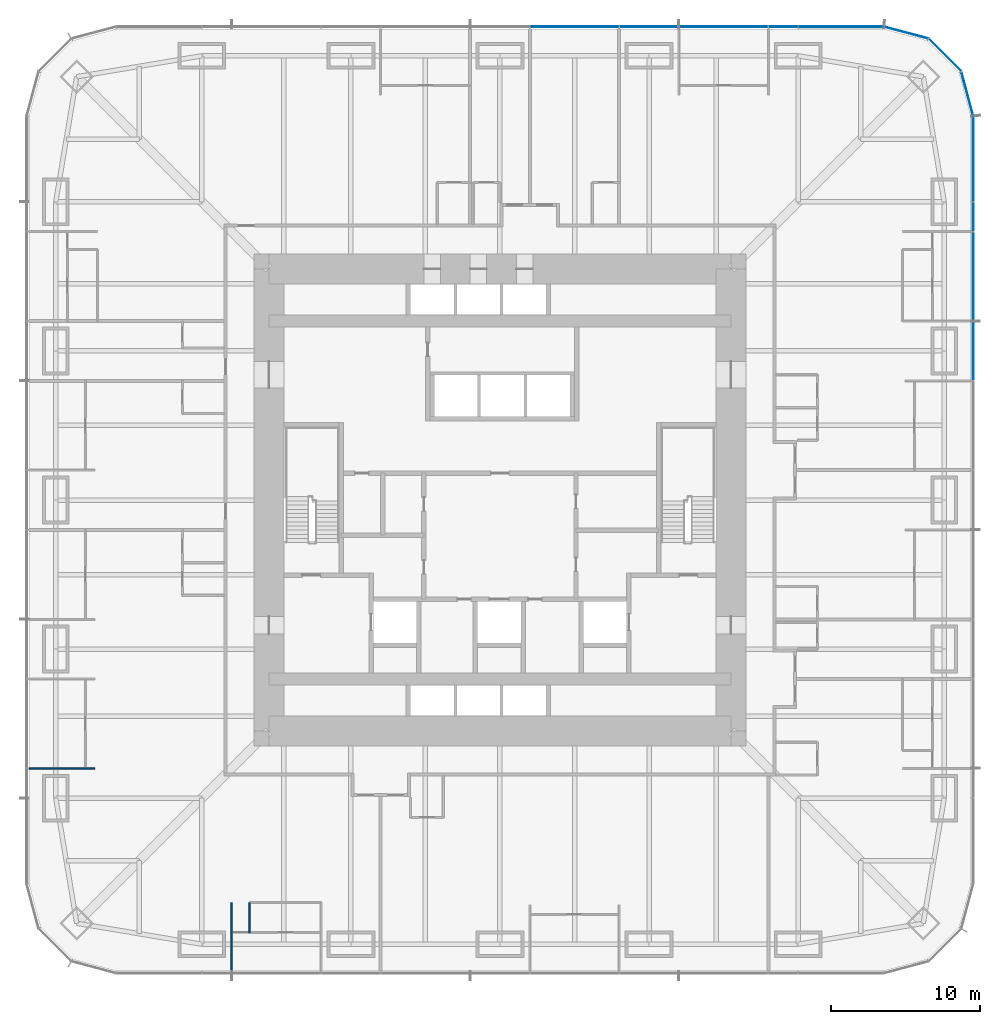
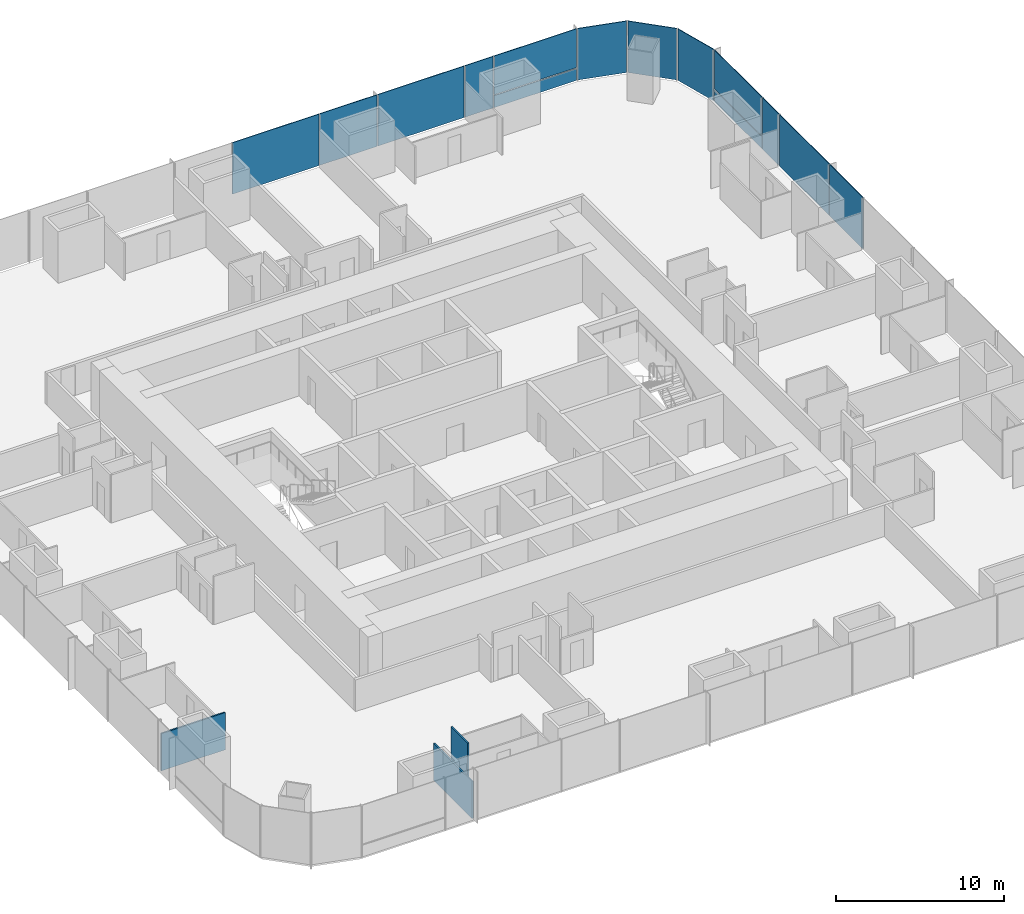
# One storey, part 11 of 17: 14 plates, 3 walls, 3 elements without a shape of their own.
"""IFC4 building model written with IfcOpenShell, lengths in metres."""

from ifc_helpers import new_model, si_unit, direction, frame, frame_2d, origin, origin_2d, place, context, subcontext, project, spatial, rectangle, extrude, material, layer, layer_set, type_object, element, aggregate, save


model = new_model("IFC4")

# Units and contexts
model_context = context("Model", 3, precision=1e-05, world=origin(), true_north=direction((0.0, 1.0)))
body_context = subcontext(model_context, "Body", "Model", "MODEL_VIEW")
ifc_project = project(units=[si_unit("LENGTHUNIT", "METRE"), si_unit("AREAUNIT", "SQUARE_METRE"), si_unit("VOLUMEUNIT", "CUBIC_METRE"), si_unit("PLANEANGLEUNIT", "RADIAN"), si_unit("MASSUNIT", "GRAM", prefix="KILO")], contexts=[model_context])

# Site, building, storey
site_placement = place(None, origin())
site = spatial("IfcSite", under=ifc_project, at=site_placement, CompositionType="ELEMENT")
building_placement = place(site_placement, origin())
building = spatial("IfcBuilding", under=site, at=building_placement, Name="Khuree Lantern Residences", CompositionType="ELEMENT")
storey_placement = place(building_placement, frame((0.0, 0.0, 43.5)))
storey = spatial("IfcBuildingStorey", under=building, at=storey_placement, Name="L10", CompositionType="ELEMENT", Elevation=43.5)

# Curtain wall, plates
ifc_material_1 = material(Name="Bronze anodised aluminium", Category="aluminium")
curtain_wall_type_1 = type_object("IfcCurtainWallType", Name="CW-T2 TOWER CORNER CURTAIN WALL", PredefinedType="USERDEFINED", material=ifc_material_1)
curtain_wall_1_placement = place(storey_placement, origin())
curtain_wall_1 = element("IfcCurtainWall", 1, at=curtain_wall_1_placement, inside=storey, type_object=curtain_wall_type_1, Name="L10 NORTH-EAST CORNER CURTAIN WALL", ObjectType="Faceted corner curtain wall", PredefinedType="USERDEFINED")
ifc_material_2 = material(Name="Bronze tinted triple glazing", Category="glass")
ifc_layer_1 = layer(ifc_material_2, 0.048095703125)
ifc_layer_set_1 = layer_set([ifc_layer_1], Name="FACET PANEL P4")
plate_type_1 = type_object("IfcPlateType", Name="FACET PANEL P4", PredefinedType="CURTAIN_PANEL", material=ifc_layer_set_1)
plate_1_placement = place(storey_placement, frame((31.3486328125, 27.248046875, 0.0), z_axis=(0.0, 0.0, 1.0), x_axis=(-0.258819172081, 0.965925792265, 0.0)))
plate_1 = element("IfcPlate", 2, at=plate_1_placement, type_object=plate_type_1, Name="L10 NORTH-EAST CORNER PANEL 15.1", PredefinedType="CURTAIN_PANEL", context=body_context, shape_type="SweptSolid", body=[
    extrude(rectangle(XDim=3.02978515625, YDim=0.048095703125, at=origin_2d()), origin(), (0.0, 0.0, 1.0), 3.75),
])
plate_2_placement = place(storey_placement, frame((29.84814453125, 29.84814453125, 0.0), z_axis=(0.0, 0.0, 1.0), x_axis=(-0.707106781187, 0.707106781187, 0.0)))
plate_2 = element("IfcPlate", 3, at=plate_2_placement, type_object=plate_type_1, Name="L10 NORTH-EAST CORNER PANEL 16.1", PredefinedType="CURTAIN_PANEL", context=body_context, shape_type="SweptSolid", body=[
    extrude(rectangle(XDim=3.025634765625, YDim=0.048095703125, at=origin_2d()), origin(), (0.0, 0.0, 1.0), 3.75),
])
plate_3_placement = place(storey_placement, frame((27.248046875, 31.3486328125, 0.0), z_axis=(0.0, 0.0, 1.0), x_axis=(-0.965925792265, 0.258819172081, 0.0)))
plate_3 = element("IfcPlate", 4, at=plate_3_placement, type_object=plate_type_1, Name="L10 NORTH-EAST CORNER PANEL 17.1", PredefinedType="CURTAIN_PANEL", context=body_context, shape_type="SweptSolid", body=[
    extrude(rectangle(XDim=3.02978515625, YDim=0.048095703125, at=origin_2d()), origin(), (0.0, 0.0, 1.0), 3.75),
])
aggregate(curtain_wall_1, [plate_1, plate_2, plate_3])

# Curtain wall, plate
curtain_wall_type_2 = type_object("IfcCurtainWallType", Name="CW-T1 TOWER FACE CURTAIN WALL", PredefinedType="USERDEFINED", material=ifc_material_1)
curtain_wall_2_placement = place(storey_placement, origin())
curtain_wall_2 = element("IfcCurtainWall", 5, at=curtain_wall_2_placement, inside=storey, type_object=curtain_wall_type_2, Name="L10 EAST FACE CURTAIN WALL", ObjectType="Stick-built curtain wall", PredefinedType="USERDEFINED")
ifc_material_3 = material(Name="Bronze tinted triple glazing with a ceramic-fritted spandrel band", Category="glass")
ifc_layer_2 = layer(ifc_material_3, 0.048095703125)
ifc_layer_set_2 = layer_set([ifc_layer_2], Name="FIXED LIGHT PANEL P11")
plate_type_2 = type_object("IfcPlateType", Name="FIXED LIGHT PANEL P11", PredefinedType="CURTAIN_PANEL", material=ifc_layer_set_2)
plate_4_placement = place(storey_placement, frame((31.75, 15.0, 0.0), z_axis=(0.0, 0.0, 1.0), x_axis=(0.0, 1.0, 0.0)))
plate_4 = element("IfcPlate", 6, at=plate_4_placement, type_object=plate_type_2, Name="L10 EAST FACE PANEL 12.1", PredefinedType="CURTAIN_PANEL", context=body_context, shape_type="SweptSolid", body=[
    extrude(rectangle(XDim=5.93505859375, YDim=0.048095703125, at=origin_2d()), origin(), (0.0, 0.0, 1.0), 3.75),
])

# Curtain wall, plates
curtain_wall_3_placement = place(storey_placement, origin())
curtain_wall_3 = element("IfcCurtainWall", 7, at=curtain_wall_3_placement, inside=storey, type_object=curtain_wall_type_2, Name="L10 NORTH FACE CURTAIN WALL", ObjectType="Stick-built curtain wall", PredefinedType="USERDEFINED")
plate_5_placement = place(storey_placement, frame((15.0, 31.75, 0.0), z_axis=(0.0, 0.0, 1.0), x_axis=(-1.0, 0.0, 0.0)))
plate_5 = element("IfcPlate", 8, at=plate_5_placement, type_object=plate_type_2, Name="L10 NORTH FACE PANEL 20.1", PredefinedType="CURTAIN_PANEL", context=body_context, shape_type="SweptSolid", body=[
    extrude(rectangle(XDim=5.93505859375, YDim=0.048095703125, at=origin_2d()), origin(), (0.0, 0.0, 1.0), 3.75),
])
plate_6_placement = place(storey_placement, frame((5.0, 31.75, 0.0), z_axis=(0.0, 0.0, 1.0), x_axis=(-1.0, 0.0, 0.0)))
plate_6 = element("IfcPlate", 9, at=plate_6_placement, type_object=plate_type_2, Name="L10 NORTH FACE PANEL 22.1", PredefinedType="CURTAIN_PANEL", context=body_context, shape_type="SweptSolid", body=[
    extrude(rectangle(XDim=5.93505859375, YDim=0.048095703125, at=origin_2d()), origin(), (0.0, 0.0, 1.0), 3.75),
])

# Plate
ifc_material_4 = material(Name="Bronze tinted triple glazing, two aluminium-framed sashes in one frame", Category="aluminium")
ifc_layer_3 = layer(ifc_material_4, 0.048095703125)
ifc_layer_set_3 = layer_set([ifc_layer_3], Name="SASH PAIR PANEL P12")
plate_type_3 = type_object("IfcPlateType", Name="SASH PAIR PANEL P12", PredefinedType="CURTAIN_PANEL", material=ifc_layer_set_3)
plate_7_placement = place(storey_placement, frame((31.75, 10.0, 0.0), z_axis=(0.0, 0.0, 1.0), x_axis=(0.0, 1.0, 0.0)))
plate_7 = element("IfcPlate", 10, at=plate_7_placement, type_object=plate_type_3, Name="L10 EAST FACE PANEL 11.1", PredefinedType="CURTAIN_PANEL", context=body_context, shape_type="SweptSolid", body=[
    extrude(rectangle(XDim=3.93505859375, YDim=0.048095703125, at=origin_2d()), origin(), (0.0, 0.0, 1.0), 3.75),
])

plate_8_placement = place(storey_placement, frame((10.0, 31.75, 0.0), z_axis=(0.0, 0.0, 1.0), x_axis=(-1.0, 0.0, 0.0)))
plate_8 = element("IfcPlate", 11, at=plate_8_placement, type_object=plate_type_3, Name="L10 NORTH FACE PANEL 21.1", PredefinedType="CURTAIN_PANEL", context=body_context, shape_type="SweptSolid", body=[
    extrude(rectangle(XDim=3.93505859375, YDim=0.048095703125, at=origin_2d()), origin(), (0.0, 0.0, 1.0), 3.75),
])

ifc_material_5 = material(Name="Bronze tinted triple glazing, aluminium-framed sash", Category="aluminium")
ifc_layer_4 = layer(ifc_material_5, 0.048095703125)
ifc_layer_set_4 = layer_set([ifc_layer_4], Name="SASH PANEL P3")
plate_type_4 = type_object("IfcPlateType", Name="SASH PANEL P3", PredefinedType="CURTAIN_PANEL", material=ifc_layer_set_4)
plate_9_placement = place(storey_placement, frame((31.75, 19.0, 0.0), z_axis=(0.0, 0.0, 1.0), x_axis=(0.0, 1.0, 0.0)))
plate_9 = element("IfcPlate", 12, at=plate_9_placement, type_object=plate_type_4, Name="L10 EAST FACE PANEL 13.1", PredefinedType="CURTAIN_PANEL", context=body_context, shape_type="SweptSolid", body=[
    extrude(rectangle(XDim=1.93505859375, YDim=0.048095703125, at=origin_2d()), origin(), (0.0, 0.0, 1.0), 3.75),
])

plate_10_placement = place(storey_placement, frame((19.0, 31.75, 0.0), z_axis=(0.0, 0.0, 1.0), x_axis=(-1.0, 0.0, 0.0)))
plate_10 = element("IfcPlate", 13, at=plate_10_placement, type_object=plate_type_4, Name="L10 NORTH FACE PANEL 19.1", PredefinedType="CURTAIN_PANEL", context=body_context, shape_type="SweptSolid", body=[
    extrude(rectangle(XDim=1.93505859375, YDim=0.048095703125, at=origin_2d()), origin(), (0.0, 0.0, 1.0), 3.75),
])

ifc_material_6 = material(Name="Bronze anodised aluminium insulated spandrel", Category="aluminium")
ifc_layer_5 = layer(ifc_material_6, 0.06005859375)
ifc_layer_set_5 = layer_set([ifc_layer_5], Name="SPANDREL PANEL P2")
plate_type_5 = type_object("IfcPlateType", Name="SPANDREL PANEL P2", PredefinedType="CURTAIN_PANEL", material=ifc_layer_set_5)
plate_11_placement = place(storey_placement, frame((31.75, 22.872802734375, 0.0), z_axis=(0.0, 0.0, 1.0), x_axis=(0.0, 1.0, 0.0)))
plate_11 = element("IfcPlate", 14, at=plate_11_placement, type_object=plate_type_5, Name="L10 EAST FACE PANEL 14.1", PredefinedType="CURTAIN_PANEL", context=body_context, shape_type="SweptSolid", body=[
    extrude(rectangle(XDim=5.6806640625, YDim=0.06005859375, at=origin_2d()), origin(), (0.0, 0.0, 1.0), 0.867431640625),
])

plate_12_placement = place(storey_placement, frame((22.872802734375, 31.75, 0.0), z_axis=(0.0, 0.0, 1.0), x_axis=(-1.0, 0.0, 0.0)))
plate_12 = element("IfcPlate", 15, at=plate_12_placement, type_object=plate_type_5, Name="L10 NORTH FACE PANEL 18.1", PredefinedType="CURTAIN_PANEL", context=body_context, shape_type="SweptSolid", body=[
    extrude(rectangle(XDim=5.6806640625, YDim=0.06005859375, at=origin_2d()), origin(), (0.0, 0.0, 1.0), 0.867431640625),
])

ifc_layer_6 = layer(ifc_material_2, 0.048095703125)
ifc_layer_set_6 = layer_set([ifc_layer_6], Name="VISION PANEL P1")
plate_type_6 = type_object("IfcPlateType", Name="VISION PANEL P1", PredefinedType="CURTAIN_PANEL", material=ifc_layer_set_6)
plate_13_placement = place(storey_placement, frame((31.75, 22.873291015625, 0.9326171875), z_axis=(0.0, 0.0, 1.0), x_axis=(0.0, 1.0, 0.0)))
plate_13 = element("IfcPlate", 16, at=plate_13_placement, type_object=plate_type_6, Name="L10 EAST FACE PANEL 14.2", PredefinedType="CURTAIN_PANEL", context=body_context, shape_type="SweptSolid", body=[
    extrude(rectangle(XDim=5.681640625, YDim=0.048095703125, at=origin_2d()), origin(), (0.0, 0.0, 1.0), 2.8173828125),
])

aggregate(curtain_wall_2, [plate_7, plate_4, plate_9, plate_11, plate_13])

plate_14_placement = place(storey_placement, frame((22.873291015625, 31.75, 0.9326171875), z_axis=(0.0, 0.0, 1.0), x_axis=(-1.0, 0.0, 0.0)))
plate_14 = element("IfcPlate", 17, at=plate_14_placement, type_object=plate_type_6, Name="L10 NORTH FACE PANEL 18.2", PredefinedType="CURTAIN_PANEL", context=body_context, shape_type="SweptSolid", body=[
    extrude(rectangle(XDim=5.681640625, YDim=0.048095703125, at=origin_2d()), origin(), (0.0, 0.0, 1.0), 2.8173828125),
])

aggregate(curtain_wall_3, [plate_12, plate_14, plate_10, plate_5, plate_8, plate_6])

# Walls
ifc_material_7 = material(Name="Gypsum board on steel studs", Category="steel")
ifc_layer_7 = layer(ifc_material_7, 0.10009765625)
ifc_layer_set_7 = layer_set([ifc_layer_7], Name="PARTITION PT100")
wall_type = type_object("IfcWallType", Name="PARTITION PT100", PredefinedType="PARTITIONING", material=ifc_layer_set_7)
wall_1_placement = place(storey_placement, frame((-27.199951171875, -18.0, 0.0), z_axis=(0.0, 0.0, 1.0), x_axis=(-1.0, 0.0, 0.0)))
element("IfcWall", 18, at=wall_1_placement, inside=storey, type_object=wall_type, Name="L10 PARTITION 08", PredefinedType="PARTITIONING", context=body_context, shape_type="SweptSolid", body=[
    extrude(rectangle(XDim=4.400146484375, YDim=0.10009765625, at=frame_2d((2.2001953125, 0.0))), origin(), (0.0, 0.0, 1.0), 2.7099609375),
])
wall_2_placement = place(storey_placement, frame((-18.0, -27.0166015625, 0.0), z_axis=(0.0, 0.0, 1.0), x_axis=(0.0, -1.0, 0.0)))
element("IfcWall", 19, at=wall_2_placement, inside=storey, type_object=wall_type, Name="L10 PARTITION 08", PredefinedType="PARTITIONING", context=body_context, shape_type="SweptSolid", body=[
    extrude(rectangle(XDim=4.58349609375, YDim=0.10009765625, at=frame_2d((2.291748046875, 0.0))), origin(), (0.0, 0.0, 1.0), 2.7099609375),
])
wall_3_placement = place(storey_placement, frame((-16.800048828125, -27.0166015625, 0.0), z_axis=(0.0, 0.0, 1.0), x_axis=(0.0, -1.0, 0.0)))
element("IfcWall", 20, at=wall_3_placement, inside=storey, type_object=wall_type, Name="L10 PARTITION 08", PredefinedType="PARTITIONING", context=body_context, shape_type="SweptSolid", body=[
    extrude(rectangle(XDim=2.0, YDim=0.10009765625, at=frame_2d((1.0, 0.0))), origin(), (0.0, 0.0, 1.0), 3.5),
])

save(model, "model.ifc")
